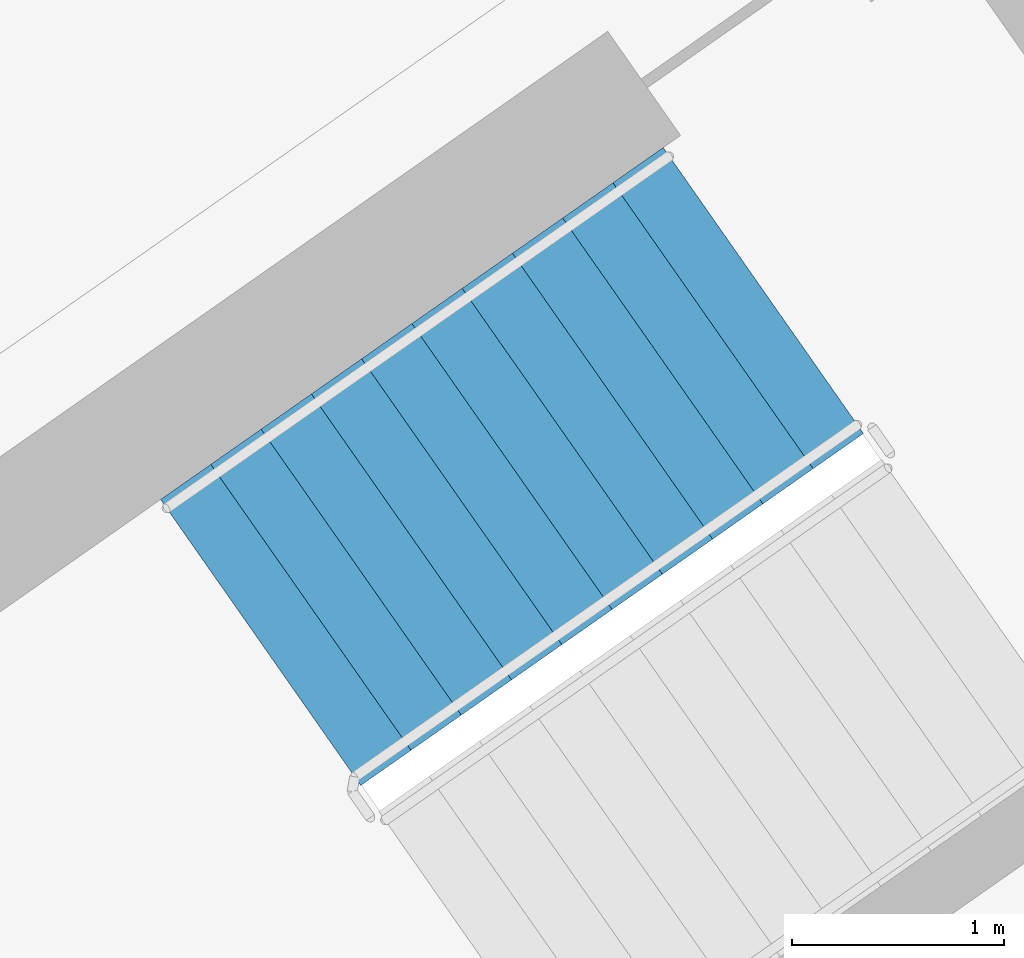
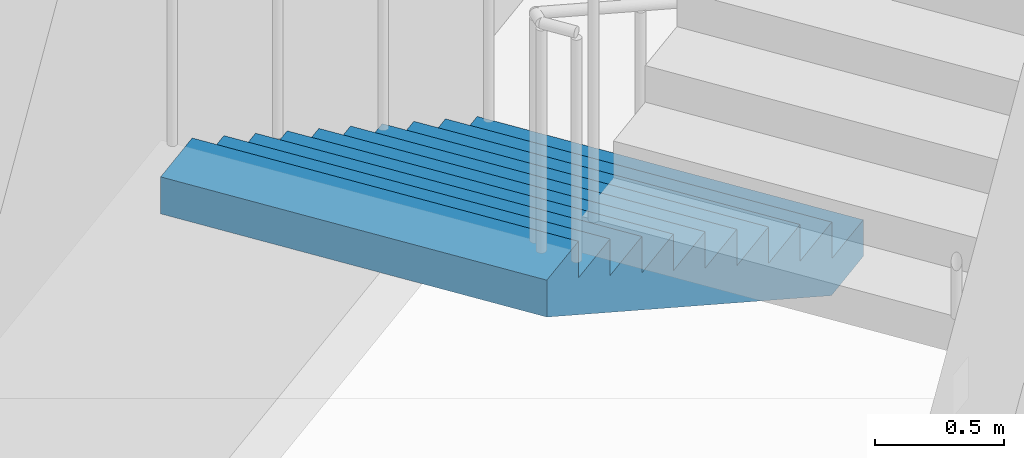
# One storey, part 17 of 28: 1 stair flight, 1 element without a shape of its own.
"""IFC4 building model written with IfcOpenShell, lengths in metres."""

from ifc_helpers import new_model, si_unit, direction, frame, origin, place, context, subcontext, project, spatial, faceted_brep, material, type_object, element, aggregate, save


model = new_model("IFC4")

# Units and contexts
model_context = context("Model", 3, precision=1e-05, world=origin(), true_north=direction((0.0, 1.0)))
body_context = subcontext(model_context, "Body", "Model", "MODEL_VIEW")
ifc_project = project(units=[si_unit("LENGTHUNIT", "METRE"), si_unit("AREAUNIT", "SQUARE_METRE"), si_unit("VOLUMEUNIT", "CUBIC_METRE"), si_unit("PLANEANGLEUNIT", "RADIAN"), si_unit("MASSUNIT", "GRAM", prefix="KILO")], contexts=[model_context])

# Site, building, storey
site_placement = place(None, origin())
site = spatial("IfcSite", under=ifc_project, at=site_placement, CompositionType="ELEMENT")
building_placement = place(site_placement, origin())
building = spatial("IfcBuilding", under=site, at=building_placement, Name="Qamariyya Broadcast Tower", CompositionType="ELEMENT")
storey_placement = place(building_placement, frame((0.0, 0.0, 234.10009765625)))
storey = spatial("IfcBuildingStorey", under=building, at=storey_placement, Name="L56", CompositionType="ELEMENT", Elevation=234.10009765625)

# Stair, stair flight
ifc_material = material(Name="Concrete C50/60", Category="concrete")
stair_type = type_object("IfcStairType", Name="Exit stair 22 risers of 173 mm", PredefinedType="HALF_TURN_STAIR", material=ifc_material)
stair_placement = place(storey_placement, origin())
stair = element("IfcStair", 1, at=stair_placement, inside=storey, type_object=stair_type, Name="L56 Stair E2", PredefinedType="HALF_TURN_STAIR")
stair_flight_type = type_object("IfcStairFlightType", Name="Exit stair flight 11 risers of 173 mm", PredefinedType="STRAIGHT", material=ifc_material)
stair_flight_placement = place(storey_placement, frame((40.558837890625, -47.685302734375, 0.0), z_axis=(0.0, 0.0, 1.0), x_axis=(-0.819152044289, -0.573576436351, 0.0)))
stair_flight = element("IfcStairFlight", 2, at=stair_flight_placement, type_object=stair_flight_type, Name="ST-E2 flight 1", NumberOfRisers=11, NumberOfTreads=10, PredefinedType="STRAIGHT", RiserHeight=0.172727273, TreadLength=0.29, context=body_context, shape_type="Brep", body=[
    faceted_brep([(0.0, 0.824951171875, 0.0), (0.0, 0.824951171875, 0.172607421875), (0.2900390625, 0.824951171875, 0.172607421875), (0.2900390625, 0.824951171875, 0.345458984375), (0.580078125, 0.824951171875, 0.345458984375), (0.580078125, 0.824951171875, 0.51806640625), (0.8701171875, 0.824951171875, 0.51806640625), (0.8701171875, 0.824951171875, 0.69091796875), (1.159912109375, 0.824951171875, 0.69091796875), (1.159912109375, 0.824951171875, 0.863525390625), (1.449951171875, 0.824951171875, 0.863525390625), (1.449951171875, 0.824951171875, 1.036376953125), (1.739990234375, 0.824951171875, 1.036376953125), (1.739990234375, 0.824951171875, 1.208984375), (2.030029296875, 0.824951171875, 1.208984375), (2.030029296875, 0.824951171875, 1.3818359375), (2.320068359375, 0.824951171875, 1.3818359375), (2.320068359375, 0.824951171875, 1.554443359375), (2.610107421875, 0.824951171875, 1.554443359375), (2.610107421875, 0.824951171875, 1.727294921875), (2.89990234375, 0.824951171875, 1.727294921875), (2.89990234375, 0.824951171875, 1.552734375), (0.29296875, 0.824951171875, 0.0), (0.29296875, -0.824951171875, 0.0), (2.89990234375, -0.824951171875, 1.552734375), (2.89990234375, -0.824951171875, 1.727294921875), (2.610107421875, -0.824951171875, 1.727294921875), (2.610107421875, -0.824951171875, 1.554443359375), (2.320068359375, -0.824951171875, 1.554443359375), (2.320068359375, -0.824951171875, 1.3818359375), (2.030029296875, -0.824951171875, 1.3818359375), (2.030029296875, -0.824951171875, 1.208984375), (1.739990234375, -0.824951171875, 1.208984375), (1.739990234375, -0.824951171875, 1.036376953125), (1.449951171875, -0.824951171875, 1.036376953125), (1.449951171875, -0.824951171875, 0.863525390625), (1.159912109375, -0.824951171875, 0.863525390625), (1.159912109375, -0.824951171875, 0.69091796875), (0.8701171875, -0.824951171875, 0.69091796875), (0.8701171875, -0.824951171875, 0.51806640625), (0.580078125, -0.824951171875, 0.51806640625), (0.580078125, -0.824951171875, 0.345458984375), (0.2900390625, -0.824951171875, 0.345458984375), (0.2900390625, -0.824951171875, 0.172607421875), (0.0, -0.824951171875, 0.172607421875), (0.0, -0.824951171875, 0.0), (0.0, 0.10009765625, 0.0), (0.0, 0.086669921875, 0.0), (0.0, 0.0732421875, 0.0), (0.0, 0.06005859375, 0.0), (0.0, 0.046630859375, 0.0), (0.0, 0.033447265625, 0.0), (0.0, 0.02001953125, 0.0), (0.0, 0.006591796875, 0.0), (0.0, -0.006591796875, 0.0), (0.0, -0.02001953125, 0.0), (0.0, -0.033447265625, 0.0), (0.0, -0.046630859375, 0.0), (0.0, -0.06005859375, 0.0), (0.0, -0.0732421875, 0.0), (0.0, -0.086669921875, 0.0), (0.0, -0.10009765625, 0.0), (0.0, -0.10009765625, 0.172607421875), (0.0, -0.086669921875, 0.172607421875), (0.0, -0.0732421875, 0.172607421875), (0.0, -0.06005859375, 0.172607421875), (0.0, -0.046630859375, 0.172607421875), (0.0, -0.033447265625, 0.172607421875), (0.0, -0.02001953125, 0.172607421875), (0.0, -0.006591796875, 0.172607421875), (0.0, 0.006591796875, 0.172607421875), (0.0, 0.02001953125, 0.172607421875), (0.0, 0.033447265625, 0.172607421875), (0.0, 0.046630859375, 0.172607421875), (0.0, 0.06005859375, 0.172607421875), (0.0, 0.0732421875, 0.172607421875), (0.0, 0.086669921875, 0.172607421875), (0.0, 0.10009765625, 0.172607421875), (0.2900390625, -0.10009765625, 0.172607421875), (0.2900390625, -0.086669921875, 0.172607421875), (0.2900390625, -0.0732421875, 0.172607421875), (0.2900390625, -0.06005859375, 0.172607421875), (0.2900390625, -0.046630859375, 0.172607421875), (0.2900390625, -0.033447265625, 0.172607421875), (0.2900390625, -0.02001953125, 0.172607421875), (0.2900390625, -0.006591796875, 0.172607421875), (0.2900390625, 0.006591796875, 0.172607421875), (0.2900390625, 0.02001953125, 0.172607421875), (0.2900390625, 0.033447265625, 0.172607421875), (0.2900390625, 0.046630859375, 0.172607421875), (0.2900390625, 0.06005859375, 0.172607421875), (0.2900390625, 0.0732421875, 0.172607421875), (0.2900390625, 0.086669921875, 0.172607421875), (0.2900390625, 0.10009765625, 0.172607421875), (0.2900390625, -0.10009765625, 0.345458984375), (0.2900390625, -0.086669921875, 0.345458984375), (0.2900390625, -0.0732421875, 0.345458984375), (0.2900390625, -0.06005859375, 0.345458984375), (0.2900390625, -0.046630859375, 0.345458984375), (0.2900390625, -0.033447265625, 0.345458984375), (0.2900390625, -0.02001953125, 0.345458984375), (0.2900390625, -0.006591796875, 0.345458984375), (0.2900390625, 0.006591796875, 0.345458984375), (0.2900390625, 0.02001953125, 0.345458984375), (0.2900390625, 0.033447265625, 0.345458984375), (0.2900390625, 0.046630859375, 0.345458984375), (0.2900390625, 0.06005859375, 0.345458984375), (0.2900390625, 0.0732421875, 0.345458984375), (0.2900390625, 0.086669921875, 0.345458984375), (0.2900390625, 0.10009765625, 0.345458984375), (0.580078125, -0.10009765625, 0.345458984375), (0.580078125, -0.086669921875, 0.345458984375), (0.580078125, -0.0732421875, 0.345458984375), (0.580078125, -0.06005859375, 0.345458984375), (0.580078125, -0.046630859375, 0.345458984375), (0.580078125, -0.033447265625, 0.345458984375), (0.580078125, -0.02001953125, 0.345458984375), (0.580078125, -0.006591796875, 0.345458984375), (0.580078125, 0.006591796875, 0.345458984375), (0.580078125, 0.02001953125, 0.345458984375), (0.580078125, 0.033447265625, 0.345458984375), (0.580078125, 0.046630859375, 0.345458984375), (0.580078125, 0.06005859375, 0.345458984375), (0.580078125, 0.0732421875, 0.345458984375), (0.580078125, 0.086669921875, 0.345458984375), (0.580078125, 0.10009765625, 0.345458984375), (0.580078125, -0.10009765625, 0.51806640625), (0.580078125, -0.086669921875, 0.51806640625), (0.580078125, -0.0732421875, 0.51806640625), (0.580078125, -0.06005859375, 0.51806640625), (0.580078125, -0.046630859375, 0.51806640625), (0.580078125, -0.033447265625, 0.51806640625), (0.580078125, -0.02001953125, 0.51806640625), (0.580078125, -0.006591796875, 0.51806640625), (0.580078125, 0.006591796875, 0.51806640625), (0.580078125, 0.02001953125, 0.51806640625), (0.580078125, 0.033447265625, 0.51806640625), (0.580078125, 0.046630859375, 0.51806640625), (0.580078125, 0.06005859375, 0.51806640625), (0.580078125, 0.0732421875, 0.51806640625), (0.580078125, 0.086669921875, 0.51806640625), (0.580078125, 0.10009765625, 0.51806640625), (0.8701171875, -0.10009765625, 0.51806640625), (0.8701171875, -0.086669921875, 0.51806640625), (0.8701171875, -0.0732421875, 0.51806640625), (0.8701171875, -0.06005859375, 0.51806640625), (0.8701171875, -0.046630859375, 0.51806640625), (0.8701171875, -0.033447265625, 0.51806640625), (0.8701171875, -0.02001953125, 0.51806640625), (0.8701171875, -0.006591796875, 0.51806640625), (0.8701171875, 0.006591796875, 0.51806640625), (0.8701171875, 0.02001953125, 0.51806640625), (0.8701171875, 0.033447265625, 0.51806640625), (0.8701171875, 0.046630859375, 0.51806640625), (0.8701171875, 0.06005859375, 0.51806640625), (0.8701171875, 0.0732421875, 0.51806640625), (0.8701171875, 0.086669921875, 0.51806640625), (0.8701171875, 0.10009765625, 0.51806640625), (0.8701171875, -0.10009765625, 0.69091796875), (0.8701171875, -0.086669921875, 0.69091796875), (0.8701171875, -0.0732421875, 0.69091796875), (0.8701171875, -0.06005859375, 0.69091796875), (0.8701171875, -0.046630859375, 0.69091796875), (0.8701171875, -0.033447265625, 0.69091796875), (0.8701171875, -0.02001953125, 0.69091796875), (0.8701171875, -0.006591796875, 0.69091796875), (0.8701171875, 0.006591796875, 0.69091796875), (0.8701171875, 0.02001953125, 0.69091796875), (0.8701171875, 0.033447265625, 0.69091796875), (0.8701171875, 0.046630859375, 0.69091796875), (0.8701171875, 0.06005859375, 0.69091796875), (0.8701171875, 0.0732421875, 0.69091796875), (0.8701171875, 0.086669921875, 0.69091796875), (0.8701171875, 0.10009765625, 0.69091796875), (1.159912109375, -0.10009765625, 0.69091796875), (1.159912109375, -0.086669921875, 0.69091796875), (1.159912109375, -0.0732421875, 0.69091796875), (1.159912109375, -0.06005859375, 0.69091796875), (1.159912109375, -0.046630859375, 0.69091796875), (1.159912109375, -0.033447265625, 0.69091796875), (1.159912109375, -0.02001953125, 0.69091796875), (1.159912109375, -0.006591796875, 0.69091796875), (1.159912109375, 0.006591796875, 0.69091796875), (1.159912109375, 0.02001953125, 0.69091796875), (1.159912109375, 0.033447265625, 0.69091796875), (1.159912109375, 0.046630859375, 0.69091796875), (1.159912109375, 0.06005859375, 0.69091796875), (1.159912109375, 0.0732421875, 0.69091796875), (1.159912109375, 0.086669921875, 0.69091796875), (1.159912109375, 0.10009765625, 0.69091796875), (1.159912109375, -0.10009765625, 0.863525390625), (1.159912109375, -0.086669921875, 0.863525390625), (1.159912109375, -0.0732421875, 0.863525390625), (1.159912109375, -0.06005859375, 0.863525390625), (1.159912109375, -0.046630859375, 0.863525390625), (1.159912109375, -0.033447265625, 0.863525390625), (1.159912109375, -0.02001953125, 0.863525390625), (1.159912109375, -0.006591796875, 0.863525390625), (1.159912109375, 0.006591796875, 0.863525390625), (1.159912109375, 0.02001953125, 0.863525390625), (1.159912109375, 0.033447265625, 0.863525390625), (1.159912109375, 0.046630859375, 0.863525390625), (1.159912109375, 0.06005859375, 0.863525390625), (1.159912109375, 0.0732421875, 0.863525390625), (1.159912109375, 0.086669921875, 0.863525390625), (1.159912109375, 0.10009765625, 0.863525390625), (1.449951171875, -0.10009765625, 0.863525390625), (1.449951171875, -0.086669921875, 0.863525390625), (1.449951171875, -0.0732421875, 0.863525390625), (1.449951171875, -0.06005859375, 0.863525390625), (1.449951171875, -0.046630859375, 0.863525390625), (1.449951171875, -0.033447265625, 0.863525390625), (1.449951171875, -0.02001953125, 0.863525390625), (1.449951171875, -0.006591796875, 0.863525390625), (1.449951171875, 0.006591796875, 0.863525390625), (1.449951171875, 0.02001953125, 0.863525390625), (1.449951171875, 0.033447265625, 0.863525390625), (1.449951171875, 0.046630859375, 0.863525390625), (1.449951171875, 0.06005859375, 0.863525390625), (1.449951171875, 0.0732421875, 0.863525390625), (1.449951171875, 0.086669921875, 0.863525390625), (1.449951171875, 0.10009765625, 0.863525390625), (1.449951171875, -0.10009765625, 1.036376953125), (1.449951171875, -0.086669921875, 1.036376953125), (1.449951171875, -0.0732421875, 1.036376953125), (1.449951171875, -0.06005859375, 1.036376953125), (1.449951171875, -0.046630859375, 1.036376953125), (1.449951171875, -0.033447265625, 1.036376953125), (1.449951171875, -0.02001953125, 1.036376953125), (1.449951171875, -0.006591796875, 1.036376953125), (1.449951171875, 0.006591796875, 1.036376953125), (1.449951171875, 0.02001953125, 1.036376953125), (1.449951171875, 0.033447265625, 1.036376953125), (1.449951171875, 0.046630859375, 1.036376953125), (1.449951171875, 0.06005859375, 1.036376953125), (1.449951171875, 0.0732421875, 1.036376953125), (1.449951171875, 0.086669921875, 1.036376953125), (1.449951171875, 0.10009765625, 1.036376953125), (1.739990234375, -0.10009765625, 1.036376953125), (1.739990234375, -0.086669921875, 1.036376953125), (1.739990234375, -0.0732421875, 1.036376953125), (1.739990234375, -0.06005859375, 1.036376953125), (1.739990234375, -0.046630859375, 1.036376953125), (1.739990234375, -0.033447265625, 1.036376953125), (1.739990234375, -0.02001953125, 1.036376953125), (1.739990234375, -0.006591796875, 1.036376953125), (1.739990234375, 0.006591796875, 1.036376953125), (1.739990234375, 0.02001953125, 1.036376953125), (1.739990234375, 0.033447265625, 1.036376953125), (1.739990234375, 0.046630859375, 1.036376953125), (1.739990234375, 0.06005859375, 1.036376953125), (1.739990234375, 0.0732421875, 1.036376953125), (1.739990234375, 0.086669921875, 1.036376953125), (1.739990234375, 0.10009765625, 1.036376953125), (1.739990234375, -0.10009765625, 1.208984375), (1.739990234375, -0.086669921875, 1.208984375), (1.739990234375, -0.0732421875, 1.208984375), (1.739990234375, -0.06005859375, 1.208984375), (1.739990234375, -0.046630859375, 1.208984375), (1.739990234375, -0.033447265625, 1.208984375), (1.739990234375, -0.02001953125, 1.208984375), (1.739990234375, -0.006591796875, 1.208984375), (1.739990234375, 0.006591796875, 1.208984375), (1.739990234375, 0.02001953125, 1.208984375), (1.739990234375, 0.033447265625, 1.208984375), (1.739990234375, 0.046630859375, 1.208984375), (1.739990234375, 0.06005859375, 1.208984375), (1.739990234375, 0.0732421875, 1.208984375), (1.739990234375, 0.086669921875, 1.208984375), (1.739990234375, 0.10009765625, 1.208984375), (2.030029296875, -0.10009765625, 1.208984375), (2.030029296875, -0.086669921875, 1.208984375), (2.030029296875, -0.0732421875, 1.208984375), (2.030029296875, -0.06005859375, 1.208984375), (2.030029296875, -0.046630859375, 1.208984375), (2.030029296875, -0.033447265625, 1.208984375), (2.030029296875, -0.02001953125, 1.208984375), (2.030029296875, -0.006591796875, 1.208984375), (2.030029296875, 0.006591796875, 1.208984375), (2.030029296875, 0.02001953125, 1.208984375), (2.030029296875, 0.033447265625, 1.208984375), (2.030029296875, 0.046630859375, 1.208984375), (2.030029296875, 0.06005859375, 1.208984375), (2.030029296875, 0.0732421875, 1.208984375), (2.030029296875, 0.086669921875, 1.208984375), (2.030029296875, 0.10009765625, 1.208984375), (2.030029296875, -0.10009765625, 1.3818359375), (2.030029296875, -0.086669921875, 1.3818359375), (2.030029296875, -0.0732421875, 1.3818359375), (2.030029296875, -0.06005859375, 1.3818359375), (2.030029296875, -0.046630859375, 1.3818359375), (2.030029296875, -0.033447265625, 1.3818359375), (2.030029296875, -0.02001953125, 1.3818359375), (2.030029296875, -0.006591796875, 1.3818359375), (2.030029296875, 0.006591796875, 1.3818359375), (2.030029296875, 0.02001953125, 1.3818359375), (2.030029296875, 0.033447265625, 1.3818359375), (2.030029296875, 0.046630859375, 1.3818359375), (2.030029296875, 0.06005859375, 1.3818359375), (2.030029296875, 0.0732421875, 1.3818359375), (2.030029296875, 0.086669921875, 1.3818359375), (2.030029296875, 0.10009765625, 1.3818359375), (2.320068359375, -0.10009765625, 1.3818359375), (2.320068359375, -0.086669921875, 1.3818359375), (2.320068359375, -0.0732421875, 1.3818359375), (2.320068359375, -0.06005859375, 1.3818359375), (2.320068359375, -0.046630859375, 1.3818359375), (2.320068359375, -0.033447265625, 1.3818359375), (2.320068359375, -0.02001953125, 1.3818359375), (2.320068359375, -0.006591796875, 1.3818359375), (2.320068359375, 0.006591796875, 1.3818359375), (2.320068359375, 0.02001953125, 1.3818359375), (2.320068359375, 0.033447265625, 1.3818359375), (2.320068359375, 0.046630859375, 1.3818359375), (2.320068359375, 0.06005859375, 1.3818359375), (2.320068359375, 0.0732421875, 1.3818359375), (2.320068359375, 0.086669921875, 1.3818359375), (2.320068359375, 0.10009765625, 1.3818359375), (2.320068359375, -0.10009765625, 1.554443359375), (2.320068359375, -0.086669921875, 1.554443359375), (2.320068359375, -0.0732421875, 1.554443359375), (2.320068359375, -0.06005859375, 1.554443359375), (2.320068359375, -0.046630859375, 1.554443359375), (2.320068359375, -0.033447265625, 1.554443359375), (2.320068359375, -0.02001953125, 1.554443359375), (2.320068359375, -0.006591796875, 1.554443359375), (2.320068359375, 0.006591796875, 1.554443359375), (2.320068359375, 0.02001953125, 1.554443359375), (2.320068359375, 0.033447265625, 1.554443359375), (2.320068359375, 0.046630859375, 1.554443359375), (2.320068359375, 0.06005859375, 1.554443359375), (2.320068359375, 0.0732421875, 1.554443359375), (2.320068359375, 0.086669921875, 1.554443359375), (2.320068359375, 0.10009765625, 1.554443359375), (2.610107421875, -0.10009765625, 1.554443359375), (2.610107421875, -0.086669921875, 1.554443359375), (2.610107421875, -0.0732421875, 1.554443359375), (2.610107421875, -0.06005859375, 1.554443359375), (2.610107421875, -0.046630859375, 1.554443359375), (2.610107421875, -0.033447265625, 1.554443359375), (2.610107421875, -0.02001953125, 1.554443359375), (2.610107421875, -0.006591796875, 1.554443359375), (2.610107421875, 0.006591796875, 1.554443359375), (2.610107421875, 0.02001953125, 1.554443359375), (2.610107421875, 0.033447265625, 1.554443359375), (2.610107421875, 0.046630859375, 1.554443359375), (2.610107421875, 0.06005859375, 1.554443359375), (2.610107421875, 0.0732421875, 1.554443359375), (2.610107421875, 0.086669921875, 1.554443359375), (2.610107421875, 0.10009765625, 1.554443359375), (2.610107421875, -0.10009765625, 1.727294921875), (2.610107421875, -0.086669921875, 1.727294921875), (2.610107421875, -0.0732421875, 1.727294921875), (2.610107421875, -0.06005859375, 1.727294921875), (2.610107421875, -0.046630859375, 1.727294921875), (2.610107421875, -0.033447265625, 1.727294921875), (2.610107421875, -0.02001953125, 1.727294921875), (2.610107421875, -0.006591796875, 1.727294921875), (2.610107421875, 0.006591796875, 1.727294921875), (2.610107421875, 0.02001953125, 1.727294921875), (2.610107421875, 0.033447265625, 1.727294921875), (2.610107421875, 0.046630859375, 1.727294921875), (2.610107421875, 0.06005859375, 1.727294921875), (2.610107421875, 0.0732421875, 1.727294921875), (2.610107421875, 0.086669921875, 1.727294921875), (2.610107421875, 0.10009765625, 1.727294921875), (2.89990234375, -0.10009765625, 1.727294921875), (2.89990234375, -0.086669921875, 1.727294921875), (2.89990234375, -0.0732421875, 1.727294921875), (2.89990234375, -0.06005859375, 1.727294921875), (2.89990234375, -0.046630859375, 1.727294921875), (2.89990234375, -0.033447265625, 1.727294921875), (2.89990234375, -0.02001953125, 1.727294921875), (2.89990234375, -0.006591796875, 1.727294921875), (2.89990234375, 0.006591796875, 1.727294921875), (2.89990234375, 0.02001953125, 1.727294921875), (2.89990234375, 0.033447265625, 1.727294921875), (2.89990234375, 0.046630859375, 1.727294921875), (2.89990234375, 0.06005859375, 1.727294921875), (2.89990234375, 0.0732421875, 1.727294921875), (2.89990234375, 0.086669921875, 1.727294921875), (2.89990234375, 0.10009765625, 1.727294921875), (2.89990234375, -0.10009765625, 1.552734375), (2.89990234375, -0.086669921875, 1.552734375), (2.89990234375, -0.0732421875, 1.552734375), (2.89990234375, -0.06005859375, 1.552734375), (2.89990234375, -0.046630859375, 1.552734375), (2.89990234375, -0.033447265625, 1.552734375), (2.89990234375, -0.02001953125, 1.552734375), (2.89990234375, -0.006591796875, 1.552734375), (2.89990234375, 0.006591796875, 1.552734375), (2.89990234375, 0.02001953125, 1.552734375), (2.89990234375, 0.033447265625, 1.552734375), (2.89990234375, 0.046630859375, 1.552734375), (2.89990234375, 0.06005859375, 1.552734375), (2.89990234375, 0.0732421875, 1.552734375), (2.89990234375, 0.086669921875, 1.552734375), (2.89990234375, 0.10009765625, 1.552734375), (0.29296875, -0.10009765625, 0.0), (0.29296875, -0.086669921875, 0.0), (0.29296875, -0.0732421875, 0.0), (0.29296875, -0.06005859375, 0.0), (0.29296875, -0.046630859375, 0.0), (0.29296875, -0.033447265625, 0.0), (0.29296875, -0.02001953125, 0.0), (0.29296875, -0.006591796875, 0.0), (0.29296875, 0.006591796875, 0.0), (0.29296875, 0.02001953125, 0.0), (0.29296875, 0.033447265625, 0.0), (0.29296875, 0.046630859375, 0.0), (0.29296875, 0.06005859375, 0.0), (0.29296875, 0.0732421875, 0.0), (0.29296875, 0.086669921875, 0.0), (0.29296875, 0.10009765625, 0.0)], [[[0, 1, 2, 3, 4, 5, 6, 7, 8, 9, 10, 11, 12, 13, 14, 15, 16, 17, 18, 19, 20, 21, 22]], [[23, 24, 25, 26, 27, 28, 29, 30, 31, 32, 33, 34, 35, 36, 37, 38, 39, 40, 41, 42, 43, 44, 45]], [[0, 46, 47, 48, 49, 50, 51, 52, 53, 54, 55, 56, 57, 58, 59, 60, 61, 45, 44, 62, 63, 64, 65, 66, 67, 68, 69, 70, 71, 72, 73, 74, 75, 76, 77, 1]], [[1, 77, 76, 75, 74, 73, 72, 71, 70, 69, 68, 67, 66, 65, 64, 63, 62, 44, 43, 78, 79, 80, 81, 82, 83, 84, 85, 86, 87, 88, 89, 90, 91, 92, 93, 2]], [[2, 93, 92, 91, 90, 89, 88, 87, 86, 85, 84, 83, 82, 81, 80, 79, 78, 43, 42, 94, 95, 96, 97, 98, 99, 100, 101, 102, 103, 104, 105, 106, 107, 108, 109, 3]], [[3, 109, 108, 107, 106, 105, 104, 103, 102, 101, 100, 99, 98, 97, 96, 95, 94, 42, 41, 110, 111, 112, 113, 114, 115, 116, 117, 118, 119, 120, 121, 122, 123, 124, 125, 4]], [[4, 125, 124, 123, 122, 121, 120, 119, 118, 117, 116, 115, 114, 113, 112, 111, 110, 41, 40, 126, 127, 128, 129, 130, 131, 132, 133, 134, 135, 136, 137, 138, 139, 140, 141, 5]], [[5, 141, 140, 139, 138, 137, 136, 135, 134, 133, 132, 131, 130, 129, 128, 127, 126, 40, 39, 142, 143, 144, 145, 146, 147, 148, 149, 150, 151, 152, 153, 154, 155, 156, 157, 6]], [[6, 157, 156, 155, 154, 153, 152, 151, 150, 149, 148, 147, 146, 145, 144, 143, 142, 39, 38, 158, 159, 160, 161, 162, 163, 164, 165, 166, 167, 168, 169, 170, 171, 172, 173, 7]], [[7, 173, 172, 171, 170, 169, 168, 167, 166, 165, 164, 163, 162, 161, 160, 159, 158, 38, 37, 174, 175, 176, 177, 178, 179, 180, 181, 182, 183, 184, 185, 186, 187, 188, 189, 8]], [[8, 189, 188, 187, 186, 185, 184, 183, 182, 181, 180, 179, 178, 177, 176, 175, 174, 37, 36, 190, 191, 192, 193, 194, 195, 196, 197, 198, 199, 200, 201, 202, 203, 204, 205, 9]], [[9, 205, 204, 203, 202, 201, 200, 199, 198, 197, 196, 195, 194, 193, 192, 191, 190, 36, 35, 206, 207, 208, 209, 210, 211, 212, 213, 214, 215, 216, 217, 218, 219, 220, 221, 10]], [[10, 221, 220, 219, 218, 217, 216, 215, 214, 213, 212, 211, 210, 209, 208, 207, 206, 35, 34, 222, 223, 224, 225, 226, 227, 228, 229, 230, 231, 232, 233, 234, 235, 236, 237, 11]], [[11, 237, 236, 235, 234, 233, 232, 231, 230, 229, 228, 227, 226, 225, 224, 223, 222, 34, 33, 238, 239, 240, 241, 242, 243, 244, 245, 246, 247, 248, 249, 250, 251, 252, 253, 12]], [[12, 253, 252, 251, 250, 249, 248, 247, 246, 245, 244, 243, 242, 241, 240, 239, 238, 33, 32, 254, 255, 256, 257, 258, 259, 260, 261, 262, 263, 264, 265, 266, 267, 268, 269, 13]], [[13, 269, 268, 267, 266, 265, 264, 263, 262, 261, 260, 259, 258, 257, 256, 255, 254, 32, 31, 270, 271, 272, 273, 274, 275, 276, 277, 278, 279, 280, 281, 282, 283, 284, 285, 14]], [[14, 285, 284, 283, 282, 281, 280, 279, 278, 277, 276, 275, 274, 273, 272, 271, 270, 31, 30, 286, 287, 288, 289, 290, 291, 292, 293, 294, 295, 296, 297, 298, 299, 300, 301, 15]], [[15, 301, 300, 299, 298, 297, 296, 295, 294, 293, 292, 291, 290, 289, 288, 287, 286, 30, 29, 302, 303, 304, 305, 306, 307, 308, 309, 310, 311, 312, 313, 314, 315, 316, 317, 16]], [[16, 317, 316, 315, 314, 313, 312, 311, 310, 309, 308, 307, 306, 305, 304, 303, 302, 29, 28, 318, 319, 320, 321, 322, 323, 324, 325, 326, 327, 328, 329, 330, 331, 332, 333, 17]], [[17, 333, 332, 331, 330, 329, 328, 327, 326, 325, 324, 323, 322, 321, 320, 319, 318, 28, 27, 334, 335, 336, 337, 338, 339, 340, 341, 342, 343, 344, 345, 346, 347, 348, 349, 18]], [[18, 349, 348, 347, 346, 345, 344, 343, 342, 341, 340, 339, 338, 337, 336, 335, 334, 27, 26, 350, 351, 352, 353, 354, 355, 356, 357, 358, 359, 360, 361, 362, 363, 364, 365, 19]], [[19, 365, 364, 363, 362, 361, 360, 359, 358, 357, 356, 355, 354, 353, 352, 351, 350, 26, 25, 366, 367, 368, 369, 370, 371, 372, 373, 374, 375, 376, 377, 378, 379, 380, 381, 20]], [[20, 381, 380, 379, 378, 377, 376, 375, 374, 373, 372, 371, 370, 369, 368, 367, 366, 25, 24, 382, 383, 384, 385, 386, 387, 388, 389, 390, 391, 392, 393, 394, 395, 396, 397, 21]], [[21, 397, 396, 395, 394, 393, 392, 391, 390, 389, 388, 387, 386, 385, 384, 383, 382, 24, 23, 398, 399, 400, 401, 402, 403, 404, 405, 406, 407, 408, 409, 410, 411, 412, 413, 22]], [[22, 413, 412, 411, 410, 409, 408, 407, 406, 405, 404, 403, 402, 401, 400, 399, 398, 23, 45, 61, 60, 59, 58, 57, 56, 55, 54, 53, 52, 51, 50, 49, 48, 47, 46, 0]]]),
])
aggregate(stair, [stair_flight])

save(model, "model.ifc")
